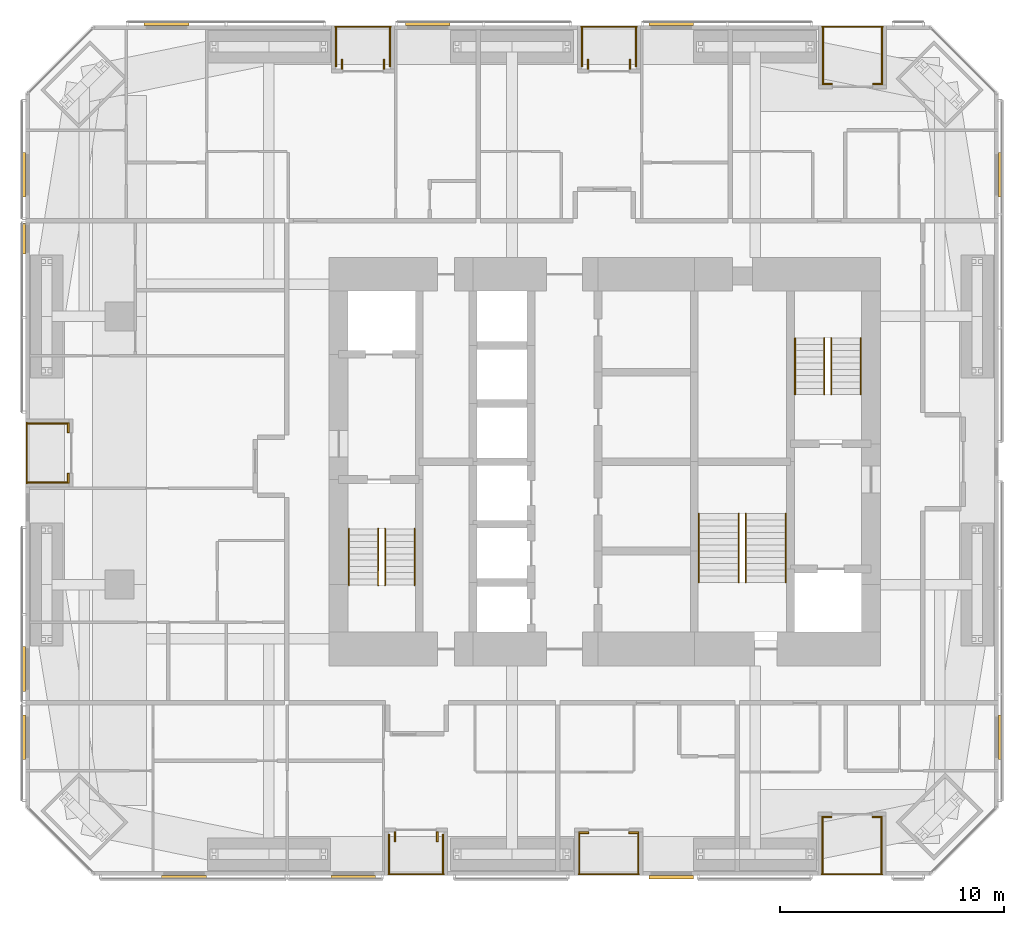
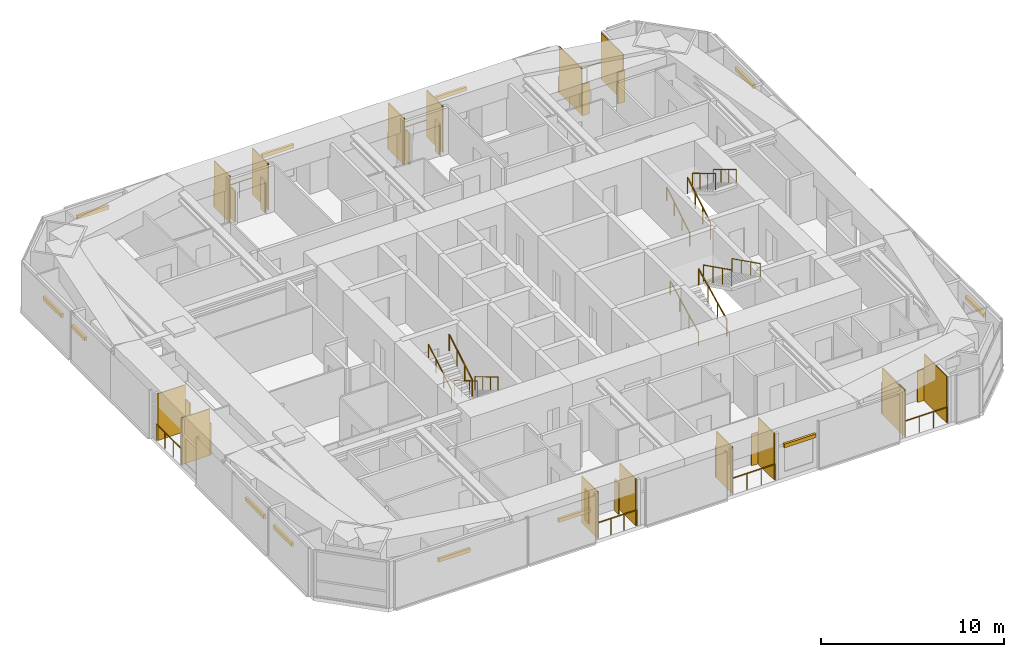
# One storey, part 23 of 23: 40 shading devices, 19 railings.
"""IFC4 building model written with IfcOpenShell, lengths in metres."""

from ifc_helpers import new_model, si_unit, direction, frame, origin, origin_2d, place, context, subcontext, project, spatial, rectangle, circle, extrude, material, layer, layer_set, constituent, constituent_set, type_object, element, save


model = new_model("IFC4")

# Units and contexts
model_context = context("Model", 3, precision=1e-05, world=origin(), true_north=direction((0.0, 1.0)))
body_context = subcontext(model_context, "Body", "Model", "MODEL_VIEW")
ifc_project = project(units=[si_unit("LENGTHUNIT", "METRE"), si_unit("AREAUNIT", "SQUARE_METRE"), si_unit("VOLUMEUNIT", "CUBIC_METRE"), si_unit("PLANEANGLEUNIT", "RADIAN"), si_unit("MASSUNIT", "GRAM", prefix="KILO")], contexts=[model_context])

# Site, building, storey
site_placement = place(None, origin())
site = spatial("IfcSite", under=ifc_project, at=site_placement, CompositionType="ELEMENT")
building_placement = place(site_placement, origin())
building = spatial("IfcBuilding", under=site, at=building_placement, Name="Jalousie Tower", CompositionType="ELEMENT")
storey_placement = place(building_placement, frame((0.0, 0.0, 88.10009765625)))
storey = spatial("IfcBuildingStorey", under=building, at=storey_placement, Name="L23", CompositionType="ELEMENT", Elevation=88.10009765625)

# Shading devices
ifc_material_1 = material(Name="Aluminium impact-rated louvred storm shutter", Category="aluminium")
shading_device_type_1 = type_object("IfcShadingDeviceType", Name="BI-FOLD STORM SHUTTER 900x2100", PredefinedType="SHUTTER", material=ifc_material_1)
for number, where, z_axis, x_axis, name in (
    (1, (22.5224609375, 1.72509765625, -0.000244140625), (0.0, 0.0, 1.0), (0.0, 1.0, 0.0), "Loggia storm shutter L23"),
    (2, (24.402587890625, 1.72509765625, -0.000244140625), (0.0, 0.0, 1.0), (0.0, 1.0, 0.0), "Loggia storm shutter L23"),
    (3, (30.949951171875, 1.909912109375, -0.000244140625), (0.0, 0.0, 1.0), (1.0, 0.0, 0.0), "Loggia storm shutter L23"),
    (4, (33.199951171875, 1.909912109375, -0.000244140625), (0.0, 0.0, 1.0), (1.0, 0.0, 0.0), "Loggia storm shutter L23"),
    (5, (41.824951171875, 2.610107421875, -0.000244140625), (0.0, 0.0, 1.0), (1.0, 0.0, 0.0), "Loggia storm shutter L23"),
    (6, (44.074951171875, 2.610107421875, -0.000244140625), (0.0, 0.0, 1.0), (1.0, 0.0, 0.0), "Loggia storm shutter L23"),
    (7, (44.0986328125, 35.389892578125, -0.000244140625), (0.0, 0.0, 1.0), (-1.0, 0.0, 0.0), "Loggia storm shutter L23"),
    (8, (41.8486328125, 35.389892578125, -0.000244140625), (0.0, 0.0, 1.0), (-1.0, 0.0, 0.0), "Loggia storm shutter L23"),
    (9, (33.027587890625, 36.27490234375, -0.000244140625), (0.0, 0.0, 1.0), (0.0, -1.0, 0.0), "Loggia storm shutter L23"),
    (10, (31.1474609375, 36.27490234375, -0.000244140625), (0.0, 0.0, 1.0), (0.0, -1.0, 0.0), "Loggia storm shutter L23"),
    (11, (22.027587890625, 36.27490234375, -0.000244140625), (0.0, 0.0, 1.0), (0.0, -1.0, 0.0), "Loggia storm shutter L23"),
    (12, (20.1474609375, 36.27490234375, -0.000244140625), (0.0, 0.0, 1.0), (0.0, -1.0, 0.0), "Loggia storm shutter L23"),
    (13, (7.909912109375, 20.012451171875, -0.000244140625), (0.0, 0.0, 1.0), (0.0, -1.0, 0.0), "Loggia storm shutter L23"),
    (14, (7.909912109375, 17.762451171875, -0.000244140625), (0.0, 0.0, 1.0), (0.0, -1.0, 0.0), "Loggia storm shutter L23"),
):
    element("IfcShadingDevice", number, at=place(storey_placement, frame(where, z_axis=z_axis, x_axis=x_axis)), inside=storey, type_object=shading_device_type_1, Name=name, PredefinedType="SHUTTER", context=body_context, shape_type="SweptSolid", body=[
        extrude(rectangle(XDim=0.449951171875, YDim=0.080078125, at=origin_2d()), origin(), (0.0, 0.0, 1.0), 2.10009765625),
    ])

# Railings
ifc_material_2 = material(Name="Powder-coated aluminium fretwork", Category="aluminium")
railing_type_1 = type_object("IfcRailingType", Name="FRETWORK BALUSTRADE 1100", PredefinedType="BALUSTRADE", material=ifc_material_2)
railing_1_placement = place(storey_placement, frame((22.22509765625, 0.050048828125, 0.0)))
element("IfcRailing", 15, at=railing_1_placement, inside=storey, type_object=railing_type_1, Name="Loggia fretwork balustrade L23", PredefinedType="BALUSTRADE", context=body_context, shape_type="SweptSolid", body=[
    extrude(rectangle(XDim=0.048095703125, YDim=0.048095703125, at=origin_2d()), frame((0.0, 0.0, 1.076171875), z_axis=(1.0, 0.0, 0.0), x_axis=(0.0, 1.0, 0.0)), (0.0, 0.0, 1.0), 2.474853515625),
    extrude(circle(Radius=0.02099609375, at=origin_2d()), origin(), (0.0, 0.0, 1.0), 1.052001953125),
    extrude(circle(Radius=0.02099609375, at=origin_2d()), frame((0.824951171875, 0.0, 0.0)), (0.0, 0.0, 1.0), 1.052001953125),
    extrude(circle(Radius=0.02099609375, at=origin_2d()), frame((1.64990234375, 0.0, 0.0)), (0.0, 0.0, 1.0), 1.052001953125),
    extrude(circle(Radius=0.02099609375, at=origin_2d()), frame((2.474853515625, 0.0, 0.0)), (0.0, 0.0, 1.0), 1.052001953125),
])
for number, where, name in (
    (16, (30.72509765625, 0.050048828125, 0.0), "Loggia fretwork balustrade L23"),
    (17, (41.60009765625, 0.050048828125, 0.0), "Loggia fretwork balustrade L23"),
):
    element("IfcRailing", number, at=place(storey_placement, frame(where)), inside=storey, type_object=railing_type_1, Name=name, PredefinedType="BALUSTRADE", context=body_context, shape_type="SweptSolid", body=[
        extrude(rectangle(XDim=0.048095703125, YDim=0.048095703125, at=origin_2d()), frame((0.0, 0.0, 1.076171875), z_axis=(1.0, 0.0, 0.0), x_axis=(0.0, 1.0, 0.0)), (0.0, 0.0, 1.0), 2.699951171875),
        extrude(circle(Radius=0.02099609375, at=origin_2d()), origin(), (0.0, 0.0, 1.0), 1.052001953125),
        extrude(circle(Radius=0.02099609375, at=origin_2d()), frame((0.89990234375, 0.0, 0.0)), (0.0, 0.0, 1.0), 1.052001953125),
        extrude(circle(Radius=0.02099609375, at=origin_2d()), frame((1.800048828125, 0.0, 0.0)), (0.0, 0.0, 1.0), 1.052001953125),
        extrude(circle(Radius=0.02099609375, at=origin_2d()), frame((2.699951171875, 0.0, 0.0)), (0.0, 0.0, 1.0), 1.052001953125),
    ])
railing_2_placement = place(storey_placement, frame((44.32373046875, 37.949951171875, 0.0)))
element("IfcRailing", 18, at=railing_2_placement, inside=storey, type_object=railing_type_1, Name="Loggia fretwork balustrade L23", PredefinedType="BALUSTRADE", context=body_context, shape_type="SweptSolid", body=[
    extrude(rectangle(XDim=0.048095703125, YDim=0.048095703125, at=origin_2d()), frame((0.0, 0.0, 1.076171875), z_axis=(-1.0, 0.0, 0.0), x_axis=(0.0, -1.0, 0.0)), (0.0, 0.0, 1.0), 2.699951171875),
    extrude(circle(Radius=0.02099609375, at=origin_2d()), origin(), (0.0, 0.0, 1.0), 1.052001953125),
    extrude(circle(Radius=0.02099609375, at=origin_2d()), frame((-0.89990234375, 0.0, 0.0)), (0.0, 0.0, 1.0), 1.052001953125),
    extrude(circle(Radius=0.02099609375, at=origin_2d()), frame((-1.800048828125, 0.0, 0.0)), (0.0, 0.0, 1.0), 1.052001953125),
    extrude(circle(Radius=0.02099609375, at=origin_2d()), frame((-2.699951171875, 0.0, 0.0)), (0.0, 0.0, 1.0), 1.052001953125),
])
for number, where, name in (
    (19, (33.324951171875, 37.949951171875, 0.0), "Loggia fretwork balustrade L23"),
    (20, (22.324951171875, 37.949951171875, 0.0), "Loggia fretwork balustrade L23"),
):
    element("IfcRailing", number, at=place(storey_placement, frame(where)), inside=storey, type_object=railing_type_1, Name=name, PredefinedType="BALUSTRADE", context=body_context, shape_type="SweptSolid", body=[
        extrude(rectangle(XDim=0.048095703125, YDim=0.048095703125, at=origin_2d()), frame((0.0, 0.0, 1.076171875), z_axis=(-1.0, 0.0, 0.0), x_axis=(0.0, -1.0, 0.0)), (0.0, 0.0, 1.0), 2.474853515625),
        extrude(circle(Radius=0.02099609375, at=origin_2d()), origin(), (0.0, 0.0, 1.0), 1.052001953125),
        extrude(circle(Radius=0.02099609375, at=origin_2d()), frame((-0.824951171875, 0.0, 0.0)), (0.0, 0.0, 1.0), 1.052001953125),
        extrude(circle(Radius=0.02099609375, at=origin_2d()), frame((-1.64990234375, 0.0, 0.0)), (0.0, 0.0, 1.0), 1.052001953125),
        extrude(circle(Radius=0.02099609375, at=origin_2d()), frame((-2.474853515625, 0.0, 0.0)), (0.0, 0.0, 1.0), 1.052001953125),
    ])
railing_3_placement = place(storey_placement, frame((6.050048828125, 20.24169921875, 0.0)))
element("IfcRailing", 21, at=railing_3_placement, inside=storey, type_object=railing_type_1, Name="Loggia fretwork balustrade L23", PredefinedType="BALUSTRADE", context=body_context, shape_type="SweptSolid", body=[
    extrude(rectangle(XDim=0.048095703125, YDim=0.048095703125, at=origin_2d()), frame((0.0, 0.0, 1.076171875), z_axis=(0.0, -1.0, 0.0), x_axis=(1.0, 0.0, 0.0)), (0.0, 0.0, 1.0), 2.70849609375),
    extrude(circle(Radius=0.02099609375, at=origin_2d()), origin(), (0.0, 0.0, 1.0), 1.052001953125),
    extrude(circle(Radius=0.02099609375, at=origin_2d()), frame((0.0, -0.90283203125, 0.0)), (0.0, 0.0, 1.0), 1.052001953125),
    extrude(circle(Radius=0.02099609375, at=origin_2d()), frame((0.0, -1.8056640625, 0.0)), (0.0, 0.0, 1.0), 1.052001953125),
    extrude(circle(Radius=0.02099609375, at=origin_2d()), frame((0.0, -2.70849609375, 0.0)), (0.0, 0.0, 1.0), 1.052001953125),
])

# Shading devices
ifc_material_3 = material(Name="Powder-coated aluminium louvres", Category="aluminium")
ifc_layer = layer(ifc_material_3, 0.06005859375)
ifc_layer_set = layer_set([ifc_layer], Name="Powder-coated aluminium louvres")
shading_device_type_2 = type_object("IfcShadingDeviceType", Name="JALOUSIE LOUVRE SCREEN", PredefinedType="JALOUSIE", material=ifc_layer_set)
for number, where, z_axis, x_axis, name in (
    (22, (22.2548828125, 0.97509765625, 0.0), (0.0, 0.0, 1.0), (1.0, 0.0, 0.0), "Loggia jalousie louvre screen L23"),
    (23, (24.669921875, 0.97509765625, 0.0), (0.0, 0.0, 1.0), (1.0, 0.0, 0.0), "Loggia jalousie louvre screen L23"),
    (24, (30.7548828125, 0.97509765625, 0.0), (0.0, 0.0, 1.0), (1.0, 0.0, 0.0), "Loggia jalousie louvre screen L23"),
    (25, (33.39501953125, 0.97509765625, 0.0), (0.0, 0.0, 1.0), (1.0, 0.0, 0.0), "Loggia jalousie louvre screen L23"),
):
    element("IfcShadingDevice", number, at=place(storey_placement, frame(where, z_axis=z_axis, x_axis=x_axis)), inside=storey, type_object=shading_device_type_2, Name=name, PredefinedType="JALOUSIE", context=body_context, shape_type="SweptSolid", body=[
        extrude(rectangle(XDim=0.06005859375, YDim=1.75, at=origin_2d()), origin(), (0.0, 0.0, 1.0), 3.110107421875),
    ])
for number, where, z_axis, x_axis, name in (
    (26, (41.6298828125, 1.324951171875, 0.0), (0.0, 0.0, 1.0), (1.0, 0.0, 0.0), "Loggia jalousie louvre screen L23"),
    (27, (44.27001953125, 1.324951171875, 0.0), (0.0, 0.0, 1.0), (1.0, 0.0, 0.0), "Loggia jalousie louvre screen L23"),
    (28, (44.293701171875, 36.675048828125, 0.0), (0.0, 0.0, 1.0), (-1.0, 0.0, 0.0), "Loggia jalousie louvre screen L23"),
    (29, (41.65380859375, 36.675048828125, 0.0), (0.0, 0.0, 1.0), (-1.0, 0.0, 0.0), "Loggia jalousie louvre screen L23"),
):
    element("IfcShadingDevice", number, at=place(storey_placement, frame(where, z_axis=z_axis, x_axis=x_axis)), inside=storey, type_object=shading_device_type_2, Name=name, PredefinedType="JALOUSIE", context=body_context, shape_type="SweptSolid", body=[
        extrude(rectangle(XDim=0.06005859375, YDim=2.449951171875, at=origin_2d()), origin(), (0.0, 0.0, 1.0), 3.110107421875),
    ])
for number, where, z_axis, x_axis, name in (
    (30, (33.294921875, 37.02490234375, 0.0), (0.0, 0.0, 1.0), (-1.0, 0.0, 0.0), "Loggia jalousie louvre screen L23"),
    (31, (30.8798828125, 37.02490234375, 0.0), (0.0, 0.0, 1.0), (-1.0, 0.0, 0.0), "Loggia jalousie louvre screen L23"),
    (32, (22.294921875, 37.02490234375, 0.0), (0.0, 0.0, 1.0), (-1.0, 0.0, 0.0), "Loggia jalousie louvre screen L23"),
    (33, (19.8798828125, 37.02490234375, 0.0), (0.0, 0.0, 1.0), (-1.0, 0.0, 0.0), "Loggia jalousie louvre screen L23"),
    (34, (6.97509765625, 20.211669921875, 0.0), (0.0, 0.0, 1.0), (0.0, -1.0, 0.0), "Loggia jalousie louvre screen L23"),
    (35, (6.97509765625, 17.563232421875, 0.0), (0.0, 0.0, 1.0), (0.0, -1.0, 0.0), "Loggia jalousie louvre screen L23"),
):
    element("IfcShadingDevice", number, at=place(storey_placement, frame(where, z_axis=z_axis, x_axis=x_axis)), inside=storey, type_object=shading_device_type_2, Name=name, PredefinedType="JALOUSIE", context=body_context, shape_type="SweptSolid", body=[
        extrude(rectangle(XDim=0.06005859375, YDim=1.75, at=origin_2d()), origin(), (0.0, 0.0, 1.0), 3.110107421875),
    ])

# Railings
ifc_material_4 = material(Name="Steel ASTM A500 Grade C", Category="steel")
ifc_constituent_1 = constituent(ifc_material_4, Name="Body")
ifc_material_5 = material(Name="Hot-dip galvanised zinc coating")
ifc_constituent_2 = constituent(ifc_material_5, Name="Finish")
ifc_constituent_set_1 = constituent_set(constituents=[ifc_constituent_1, ifc_constituent_2])
railing_type_2 = type_object("IfcRailingType", Name="STAIR GUARD 1100", PredefinedType="GUARDRAIL", material=ifc_constituent_set_1)
railing_4_placement = place(storey_placement, frame((22.080078125, 15.49755859375, 0.16748046875)))
element("IfcRailing", 36, at=railing_4_placement, inside=storey, type_object=railing_type_2, Name="Exit stair A guard L23 flight 1", PredefinedType="GUARDRAIL", context=body_context, shape_type="SweptSolid", body=[
    extrude(rectangle(XDim=0.048095703125, YDim=0.048095703125, at=origin_2d()), frame((0.0, 0.0, 1.076171875), z_axis=(0.0, -0.858196387827, 0.513321497621), x_axis=(1.0, 0.0, 0.0)), (0.0, 0.0, 1.0), 2.9365234375),
    extrude(circle(Radius=0.02099609375, at=origin_2d()), origin(), (0.0, 0.0, 1.0), 1.052001953125),
    extrude(circle(Radius=0.02099609375, at=origin_2d()), frame((0.0, -0.840087890625, 0.50244140625)), (0.0, 0.0, 1.0), 1.052001953125),
    extrude(circle(Radius=0.02099609375, at=origin_2d()), frame((0.0, -1.679931640625, 1.0048828125)), (0.0, 0.0, 1.0), 1.052001953125),
    extrude(circle(Radius=0.02099609375, at=origin_2d()), frame((0.0, -2.52001953125, 1.50732421875)), (0.0, 0.0, 1.0), 1.052001953125),
])
railing_5_placement = place(storey_placement, frame((21.77001953125, 12.9775390625, 1.84228515625)))
element("IfcRailing", 37, at=railing_5_placement, inside=storey, type_object=railing_type_2, Name="Exit stair A guard L23 flight 2", PredefinedType="GUARDRAIL", context=body_context, shape_type="SweptSolid", body=[
    extrude(rectangle(XDim=0.048095703125, YDim=0.048095703125, at=origin_2d()), frame((0.0, 0.0, 1.076171875), z_axis=(0.0, 0.858159760407, 0.513382728203), x_axis=(-1.0, 0.0, 0.0)), (0.0, 0.0, 1.0), 2.9365234375),
    extrude(circle(Radius=0.02099609375, at=origin_2d()), origin(), (0.0, 0.0, 1.0), 1.052001953125),
    extrude(circle(Radius=0.02099609375, at=origin_2d()), frame((0.0, 0.840087890625, 0.50244140625)), (0.0, 0.0, 1.0), 1.052001953125),
    extrude(circle(Radius=0.02099609375, at=origin_2d()), frame((0.0, 1.679931640625, 1.005126953125)), (0.0, 0.0, 1.0), 1.052001953125),
    extrude(circle(Radius=0.02099609375, at=origin_2d()), frame((0.0, 2.52001953125, 1.507568359375)), (0.0, 0.0, 1.0), 1.052001953125),
])
railing_6_placement = place(storey_placement, frame((41.719970703125, 21.50244140625, 0.16748046875)))
element("IfcRailing", 38, at=railing_6_placement, inside=storey, type_object=railing_type_2, Name="Exit stair B guard L23 flight 1", PredefinedType="GUARDRAIL", context=body_context, shape_type="SweptSolid", body=[
    extrude(rectangle(XDim=0.048095703125, YDim=0.048095703125, at=origin_2d()), frame((0.0, 0.0, 1.076171875), z_axis=(0.0, 0.858196387827, 0.513321497621), x_axis=(-1.0, 0.0, 0.0)), (0.0, 0.0, 1.0), 2.9365234375),
    extrude(circle(Radius=0.02099609375, at=origin_2d()), origin(), (0.0, 0.0, 1.0), 1.052001953125),
    extrude(circle(Radius=0.02099609375, at=origin_2d()), frame((0.0, 0.840087890625, 0.50244140625)), (0.0, 0.0, 1.0), 1.052001953125),
    extrude(circle(Radius=0.02099609375, at=origin_2d()), frame((0.0, 1.679931640625, 1.0048828125)), (0.0, 0.0, 1.0), 1.052001953125),
    extrude(circle(Radius=0.02099609375, at=origin_2d()), frame((0.0, 2.52001953125, 1.50732421875)), (0.0, 0.0, 1.0), 1.052001953125),
])
railing_7_placement = place(storey_placement, frame((42.030029296875, 24.0224609375, 1.84228515625)))
element("IfcRailing", 39, at=railing_7_placement, inside=storey, type_object=railing_type_2, Name="Exit stair B guard L23 flight 2", PredefinedType="GUARDRAIL", context=body_context, shape_type="SweptSolid", body=[
    extrude(rectangle(XDim=0.048095703125, YDim=0.048095703125, at=origin_2d()), frame((0.0, 0.0, 1.076171875), z_axis=(0.0, -0.858159760407, 0.513382728203), x_axis=(1.0, 0.0, 0.0)), (0.0, 0.0, 1.0), 2.9365234375),
    extrude(circle(Radius=0.02099609375, at=origin_2d()), origin(), (0.0, 0.0, 1.0), 1.052001953125),
    extrude(circle(Radius=0.02099609375, at=origin_2d()), frame((0.0, -0.840087890625, 0.50244140625)), (0.0, 0.0, 1.0), 1.052001953125),
    extrude(circle(Radius=0.02099609375, at=origin_2d()), frame((0.0, -1.679931640625, 1.005126953125)), (0.0, 0.0, 1.0), 1.052001953125),
    extrude(circle(Radius=0.02099609375, at=origin_2d()), frame((0.0, -2.52001953125, 1.507568359375)), (0.0, 0.0, 1.0), 1.052001953125),
])
railing_8_placement = place(storey_placement, frame((37.89501953125, 13.097412109375, 0.139404296875)))
element("IfcRailing", 40, at=railing_8_placement, inside=storey, type_object=railing_type_2, Name="Exit stair C guard L23 flight 1", PredefinedType="GUARDRAIL", context=body_context, shape_type="SweptSolid", body=[
    extrude(rectangle(XDim=0.048095703125, YDim=0.048095703125, at=origin_2d()), frame((0.0, 0.0, 1.076171875), z_axis=(0.0, 0.894965676997, 0.446134998624), x_axis=(-1.0, 0.0, 0.0)), (0.0, 0.0, 1.0), 3.441650390625),
    extrude(circle(Radius=0.02099609375, at=origin_2d()), origin(), (0.0, 0.0, 1.0), 1.052001953125),
    extrude(circle(Radius=0.02099609375, at=origin_2d()), frame((0.0, 1.026611328125, 0.51171875)), (0.0, 0.0, 1.0), 1.052001953125),
    extrude(circle(Radius=0.02099609375, at=origin_2d()), frame((0.0, 2.053466796875, 1.023681640625)), (0.0, 0.0, 1.0), 1.052001953125),
    extrude(circle(Radius=0.02099609375, at=origin_2d()), frame((0.0, 3.080078125, 1.535400390625)), (0.0, 0.0, 1.0), 1.052001953125),
])
railing_9_placement = place(storey_placement, frame((38.205078125, 16.177490234375, 1.814453125)))
element("IfcRailing", 41, at=railing_9_placement, inside=storey, type_object=railing_type_2, Name="Exit stair C guard L23 flight 2", PredefinedType="GUARDRAIL", context=body_context, shape_type="SweptSolid", body=[
    extrude(rectangle(XDim=0.048095703125, YDim=0.048095703125, at=origin_2d()), frame((0.0, 0.0, 1.076171875), z_axis=(0.0, -0.894965676997, 0.446134998624), x_axis=(1.0, 0.0, 0.0)), (0.0, 0.0, 1.0), 3.441650390625),
    extrude(circle(Radius=0.02099609375, at=origin_2d()), origin(), (0.0, 0.0, 1.0), 1.052001953125),
    extrude(circle(Radius=0.02099609375, at=origin_2d()), frame((0.0, -1.026611328125, 0.51171875)), (0.0, 0.0, 1.0), 1.052001953125),
    extrude(circle(Radius=0.02099609375, at=origin_2d()), frame((0.0, -2.053466796875, 1.023681640625)), (0.0, 0.0, 1.0), 1.052001953125),
    extrude(circle(Radius=0.02099609375, at=origin_2d()), frame((0.0, -3.080078125, 1.535400390625)), (0.0, 0.0, 1.0), 1.052001953125),
])
ifc_material_6 = material(Name="Steel ASTM A500 Grade C", Category="steel")
ifc_constituent_3 = constituent(ifc_material_6, Name="Body")
ifc_material_7 = material(Name="Hot-dip galvanised zinc coating")
ifc_constituent_4 = constituent(ifc_material_7, Name="Finish")
ifc_constituent_set_2 = constituent_set(constituents=[ifc_constituent_3, ifc_constituent_4])
railing_type_3 = type_object("IfcRailingType", Name="STAIR HANDRAIL 900", PredefinedType="HANDRAIL", material=ifc_constituent_set_2)
railing_10_placement = place(storey_placement, frame((23.39501953125, 15.49755859375, 0.16748046875)))
element("IfcRailing", 42, at=railing_10_placement, inside=storey, type_object=railing_type_3, Name="Exit stair A handrail L23 flight 1", PredefinedType="HANDRAIL", context=body_context, shape_type="SweptSolid", body=[
    extrude(circle(Radius=0.02392578125, at=origin_2d()), frame((0.0, 0.0, 0.8759765625), z_axis=(0.0, -0.858196387827, 0.513321497621), x_axis=(1.0, 0.0, 0.0)), (0.0, 0.0, 1.0), 2.9365234375),
    extrude(circle(Radius=0.02099609375, at=origin_2d()), origin(), (0.0, 0.0, 1.0), 0.851806640625),
    extrude(circle(Radius=0.02099609375, at=origin_2d()), frame((0.0, -0.840087890625, 0.50244140625)), (0.0, 0.0, 1.0), 0.851806640625),
    extrude(circle(Radius=0.02099609375, at=origin_2d()), frame((0.0, -1.679931640625, 1.0048828125)), (0.0, 0.0, 1.0), 0.851806640625),
    extrude(circle(Radius=0.02099609375, at=origin_2d()), frame((0.0, -2.52001953125, 1.50732421875)), (0.0, 0.0, 1.0), 0.851806640625),
])
railing_11_placement = place(storey_placement, frame((20.455078125, 12.9775390625, 1.84228515625)))
element("IfcRailing", 43, at=railing_11_placement, inside=storey, type_object=railing_type_3, Name="Exit stair A handrail L23 flight 2", PredefinedType="HANDRAIL", context=body_context, shape_type="SweptSolid", body=[
    extrude(circle(Radius=0.02392578125, at=origin_2d()), frame((0.0, 0.0, 0.8759765625), z_axis=(0.0, 0.858159760407, 0.513382728203), x_axis=(-1.0, 0.0, 0.0)), (0.0, 0.0, 1.0), 2.9365234375),
    extrude(circle(Radius=0.02099609375, at=origin_2d()), origin(), (0.0, 0.0, 1.0), 0.851806640625),
    extrude(circle(Radius=0.02099609375, at=origin_2d()), frame((0.0, 0.840087890625, 0.50244140625)), (0.0, 0.0, 1.0), 0.851806640625),
    extrude(circle(Radius=0.02099609375, at=origin_2d()), frame((0.0, 1.679931640625, 1.005126953125)), (0.0, 0.0, 1.0), 0.851806640625),
    extrude(circle(Radius=0.02099609375, at=origin_2d()), frame((0.0, 2.52001953125, 1.507568359375)), (0.0, 0.0, 1.0), 0.851806640625),
])
railing_12_placement = place(storey_placement, frame((40.405029296875, 21.50244140625, 0.16748046875)))
element("IfcRailing", 44, at=railing_12_placement, inside=storey, type_object=railing_type_3, Name="Exit stair B handrail L23 flight 1", PredefinedType="HANDRAIL", context=body_context, shape_type="SweptSolid", body=[
    extrude(circle(Radius=0.02392578125, at=origin_2d()), frame((0.0, 0.0, 0.8759765625), z_axis=(0.0, 0.858196387827, 0.513321497621), x_axis=(-1.0, 0.0, 0.0)), (0.0, 0.0, 1.0), 2.9365234375),
    extrude(circle(Radius=0.02099609375, at=origin_2d()), origin(), (0.0, 0.0, 1.0), 0.851806640625),
    extrude(circle(Radius=0.02099609375, at=origin_2d()), frame((0.0, 0.840087890625, 0.50244140625)), (0.0, 0.0, 1.0), 0.851806640625),
    extrude(circle(Radius=0.02099609375, at=origin_2d()), frame((0.0, 1.679931640625, 1.0048828125)), (0.0, 0.0, 1.0), 0.851806640625),
    extrude(circle(Radius=0.02099609375, at=origin_2d()), frame((0.0, 2.52001953125, 1.50732421875)), (0.0, 0.0, 1.0), 0.851806640625),
])
railing_13_placement = place(storey_placement, frame((43.344970703125, 24.0224609375, 1.84228515625)))
element("IfcRailing", 45, at=railing_13_placement, inside=storey, type_object=railing_type_3, Name="Exit stair B handrail L23 flight 2", PredefinedType="HANDRAIL", context=body_context, shape_type="SweptSolid", body=[
    extrude(circle(Radius=0.02392578125, at=origin_2d()), frame((0.0, 0.0, 0.8759765625), z_axis=(0.0, -0.858159760407, 0.513382728203), x_axis=(1.0, 0.0, 0.0)), (0.0, 0.0, 1.0), 2.9365234375),
    extrude(circle(Radius=0.02099609375, at=origin_2d()), origin(), (0.0, 0.0, 1.0), 0.851806640625),
    extrude(circle(Radius=0.02099609375, at=origin_2d()), frame((0.0, -0.840087890625, 0.50244140625)), (0.0, 0.0, 1.0), 0.851806640625),
    extrude(circle(Radius=0.02099609375, at=origin_2d()), frame((0.0, -1.679931640625, 1.005126953125)), (0.0, 0.0, 1.0), 0.851806640625),
    extrude(circle(Radius=0.02099609375, at=origin_2d()), frame((0.0, -2.52001953125, 1.507568359375)), (0.0, 0.0, 1.0), 0.851806640625),
])
railing_14_placement = place(storey_placement, frame((36.10498046875, 13.097412109375, 0.139404296875)))
element("IfcRailing", 46, at=railing_14_placement, inside=storey, type_object=railing_type_3, Name="Exit stair C handrail L23 flight 1", PredefinedType="HANDRAIL", context=body_context, shape_type="SweptSolid", body=[
    extrude(circle(Radius=0.02392578125, at=origin_2d()), frame((0.0, 0.0, 0.8759765625), z_axis=(0.0, 0.894965676997, 0.446134998624), x_axis=(-1.0, 0.0, 0.0)), (0.0, 0.0, 1.0), 3.441650390625),
    extrude(circle(Radius=0.02099609375, at=origin_2d()), origin(), (0.0, 0.0, 1.0), 0.851806640625),
    extrude(circle(Radius=0.02099609375, at=origin_2d()), frame((0.0, 1.026611328125, 0.51171875)), (0.0, 0.0, 1.0), 0.851806640625),
    extrude(circle(Radius=0.02099609375, at=origin_2d()), frame((0.0, 2.053466796875, 1.023681640625)), (0.0, 0.0, 1.0), 0.851806640625),
    extrude(circle(Radius=0.02099609375, at=origin_2d()), frame((0.0, 3.080078125, 1.535400390625)), (0.0, 0.0, 1.0), 0.851806640625),
])
railing_15_placement = place(storey_placement, frame((39.9951171875, 16.177490234375, 1.814453125)))
element("IfcRailing", 47, at=railing_15_placement, inside=storey, type_object=railing_type_3, Name="Exit stair C handrail L23 flight 2", PredefinedType="HANDRAIL", context=body_context, shape_type="SweptSolid", body=[
    extrude(circle(Radius=0.02392578125, at=origin_2d()), frame((0.0, 0.0, 0.8759765625), z_axis=(0.0, -0.894965676997, 0.446134998624), x_axis=(1.0, 0.0, 0.0)), (0.0, 0.0, 1.0), 3.441650390625),
    extrude(circle(Radius=0.02099609375, at=origin_2d()), origin(), (0.0, 0.0, 1.0), 0.851806640625),
    extrude(circle(Radius=0.02099609375, at=origin_2d()), frame((0.0, -1.026611328125, 0.51171875)), (0.0, 0.0, 1.0), 0.851806640625),
    extrude(circle(Radius=0.02099609375, at=origin_2d()), frame((0.0, -2.053466796875, 1.023681640625)), (0.0, 0.0, 1.0), 0.851806640625),
    extrude(circle(Radius=0.02099609375, at=origin_2d()), frame((0.0, -3.080078125, 1.535400390625)), (0.0, 0.0, 1.0), 0.851806640625),
])

# Shading devices
ifc_material_8 = material(Name="Aluminium roller storm shutter", Category="aluminium")
shading_device_type_3 = type_object("IfcShadingDeviceType", Name="STORM SHUTTER HOUSING", PredefinedType="SHUTTER", material=ifc_material_8)
for number, where, z_axis, x_axis, name in (
    (48, (13.0849609375, -0.074951171875, 2.099853515625), (0.0, 0.0, 1.0), (1.0, 0.0, 0.0), "Storm shutter L23"),
    (49, (20.657470703125, -0.074951171875, 2.099853515625), (0.0, 0.0, 1.0), (1.0, 0.0, 0.0), "Storm shutter L23"),
    (50, (34.875, -0.074951171875, 2.099853515625), (0.0, 0.0, 1.0), (1.0, 0.0, 0.0), "Storm shutter L23"),
    (51, (49.574951171875, 6.175537109375, 2.099853515625), (0.0, 0.0, 1.0), (0.0, 1.0, 0.0), "Storm shutter L23"),
    (52, (49.574951171875, 31.324462890625, 2.099853515625), (0.0, 0.0, 1.0), (0.0, 1.0, 0.0), "Storm shutter L23"),
    (53, (34.875, 38.074951171875, 2.099853515625), (0.0, 0.0, 1.0), (-1.0, 0.0, 0.0), "Storm shutter L23"),
    (54, (23.981201171875, 38.074951171875, 2.099853515625), (0.0, 0.0, 1.0), (-1.0, 0.0, 0.0), "Storm shutter L23"),
    (55, (12.300048828125, 38.074951171875, 2.099853515625), (0.0, 0.0, 1.0), (-1.0, 0.0, 0.0), "Storm shutter L23"),
    (56, (5.925048828125, 31.324462890625, 2.099853515625), (0.0, 0.0, 1.0), (0.0, -1.0, 0.0), "Storm shutter L23"),
):
    element("IfcShadingDevice", number, at=place(storey_placement, frame(where, z_axis=z_axis, x_axis=x_axis)), inside=storey, type_object=shading_device_type_3, Name=name, PredefinedType="SHUTTER", context=body_context, shape_type="SweptSolid", body=[
        extrude(rectangle(XDim=2.0, YDim=0.14990234375, at=origin_2d()), origin(), (0.0, 0.0, 1.0), 0.25),
    ])
shading_device_placement = place(storey_placement, frame((5.925048828125, 28.47509765625, 2.099853515625), z_axis=(0.0, 0.0, 1.0), x_axis=(0.0, -1.0, 0.0)))
element("IfcShadingDevice", 57, at=shading_device_placement, inside=storey, type_object=shading_device_type_3, Name="Storm shutter L23", PredefinedType="SHUTTER", context=body_context, shape_type="SweptSolid", body=[
    extrude(rectangle(XDim=1.39990234375, YDim=0.14990234375, at=origin_2d()), origin(), (0.0, 0.0, 1.0), 0.25),
])
for number, where, z_axis, x_axis, name in (
    (58, (5.925048828125, 9.22509765625, 2.099853515625), (0.0, 0.0, 1.0), (0.0, -1.0, 0.0), "Storm shutter L23"),
    (59, (5.925048828125, 6.17529296875, 2.099853515625), (0.0, 0.0, 1.0), (0.0, -1.0, 0.0), "Storm shutter L23"),
):
    element("IfcShadingDevice", number, at=place(storey_placement, frame(where, z_axis=z_axis, x_axis=x_axis)), inside=storey, type_object=shading_device_type_3, Name=name, PredefinedType="SHUTTER", context=body_context, shape_type="SweptSolid", body=[
        extrude(rectangle(XDim=2.0, YDim=0.14990234375, at=origin_2d()), origin(), (0.0, 0.0, 1.0), 0.25),
    ])

save(model, "model.ifc")
